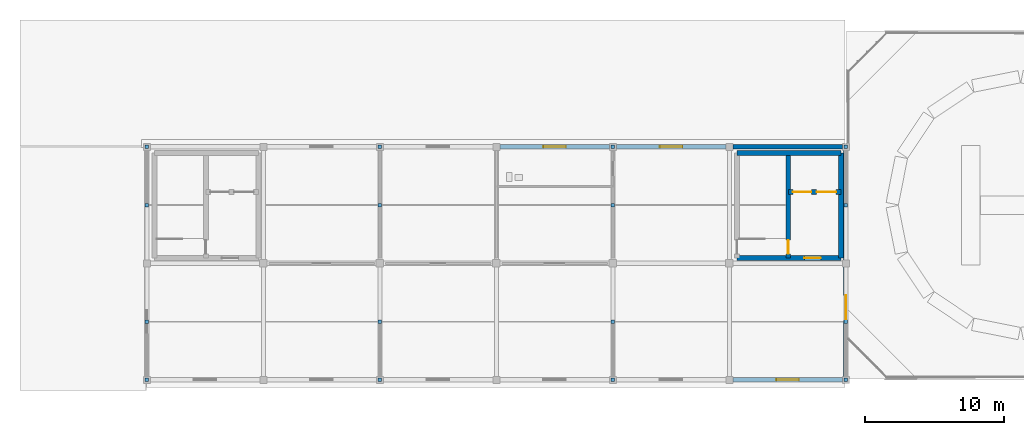
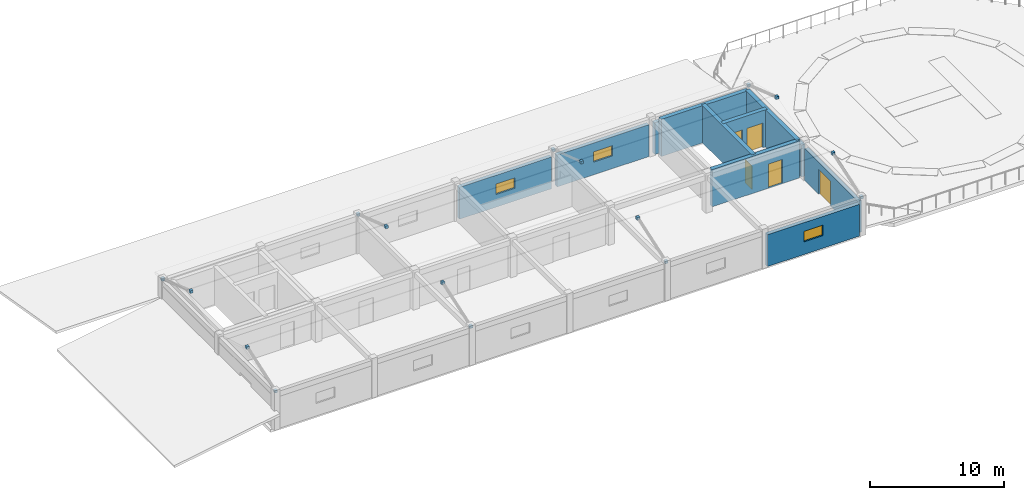
# One storey, part 3 of 5: 16 discrete accessories, 11 walls, 5 doors, 3 windows, 8 openings.
"""IFC4 building model written with IfcOpenShell, lengths in metres."""

from ifc_helpers import new_model, si_unit, direction, frame, frame_2d, origin, origin_2d, place, context, subcontext, project, spatial, rectangle, extrude, material, layer, layer_set, type_object, element, fill, save


model = new_model("IFC4")

# Units and contexts
model_context = context("Model", 3, precision=1e-05, world=origin(), true_north=direction((0.0, 1.0)))
body_context = subcontext(model_context, "Body", "Model", "MODEL_VIEW")
ifc_project = project(units=[si_unit("LENGTHUNIT", "METRE"), si_unit("AREAUNIT", "SQUARE_METRE"), si_unit("VOLUMEUNIT", "CUBIC_METRE"), si_unit("PLANEANGLEUNIT", "RADIAN"), si_unit("MASSUNIT", "GRAM", prefix="KILO")], contexts=[model_context])

# Site, building, storey
site_placement = place(None, origin())
site = spatial("IfcSite", under=ifc_project, at=site_placement, CompositionType="ELEMENT")
building_placement = place(site_placement, origin())
building = spatial("IfcBuilding", under=site, at=building_placement, Name="Trelvath General Hospital", CompositionType="ELEMENT")
storey_placement = place(building_placement, frame((0.0, 0.0, 33.0)))
storey = spatial("IfcBuildingStorey", under=building, at=storey_placement, Name="RF", CompositionType="ELEMENT", Elevation=33.0)

# Wall, opening, door
ifc_material_1 = material(Name="Concrete C40/50", Category="concrete")
ifc_layer_1 = layer(ifc_material_1, 0.35009765625)
ifc_layer_set_1 = layer_set([ifc_layer_1], Name="Concrete C40/50")
wall_type_1 = type_object("IfcWallType", Name="CoreShearWall 350", PredefinedType="SHEAR", material=ifc_layer_set_1)
wall_1_placement = place(storey_placement, frame((84.550048828125, 101.199951171875, 0.0), z_axis=(0.0, 0.0, 1.0), x_axis=(1.0, 0.0, 0.0)))
wall_1 = element("IfcWall", 1, at=wall_1_placement, inside=storey, type_object=wall_type_1, Name="Core Shear Wall C2 S RF", PredefinedType="SHEAR", context=body_context, shape_type="SweptSolid", body=[
    extrude(rectangle(XDim=7.5, YDim=0.35009765625, at=frame_2d((3.75, 0.0))), origin(), (0.0, 0.0, 1.0), 3.3798828125),
])
opening_1_placement = place(wall_1_placement, frame((4.85009765625, 0.0, 0.0)))
opening_1 = element("IfcOpeningElement", 2, at=opening_1_placement, cuts=wall_1, Name="Opening FD-LS28", PredefinedType="OPENING", context=body_context, shape_type="SweptSolid", body=[
    extrude(rectangle(XDim=1.199951171875, YDim=2.199951171875, at=frame_2d((0.60009765625, 1.10009765625))), frame((0.0, 0.18505859375, 0.0), z_axis=(0.0, -1.0, 0.0), x_axis=(1.0, 0.0, 0.0)), (0.0, 0.0, 1.0), 0.3701171875),
])
ifc_material_2 = material(Name="Fire-rated steel door", Category="steel")
door_type_1 = type_object("IfcDoorType", Name="Door FireLobby 1200x2200", OperationType="NOTDEFINED", PredefinedType="DOOR", material=ifc_material_2)
door_1_placement = place(opening_1_placement, origin())
door_1 = element("IfcDoor", 3, at=door_1_placement, inside=storey, type_object=door_type_1, Name="Fire Lobby South Door C2 RF", OperationType="SINGLE_SWING_LEFT", OverallHeight=2.199951171875, OverallWidth=1.199951171875, PredefinedType="DOOR", context=body_context, shape_type="SweptSolid", body=[
    extrude(rectangle(XDim=1.199951171875, YDim=2.199951171875, at=frame_2d((0.60009765625, 1.10009765625))), frame((0.0, 0.02490234375, 0.0), z_axis=(0.0, -1.0, 0.0), x_axis=(1.0, 0.0, 0.0)), (0.0, 0.0, 1.0), 0.050048828125),
])
fill(opening_1, door_1)

# Walls
wall_2_placement = place(storey_placement, frame((84.550048828125, 108.75, 0.0), z_axis=(0.0, 0.0, 1.0), x_axis=(1.0, 0.0, 0.0)))
element("IfcWall", 4, at=wall_2_placement, inside=storey, type_object=wall_type_1, Name="Core Shear Wall C2 N RF", PredefinedType="SHEAR", context=body_context, shape_type="SweptSolid", body=[
    extrude(rectangle(XDim=7.5, YDim=0.35009765625, at=frame_2d((3.75, 0.0))), origin(), (0.0, 0.0, 1.0), 3.3798828125),
])
wall_3_placement = place(storey_placement, frame((92.050048828125, 101.199951171875, 0.0), z_axis=(0.0, 0.0, 1.0), x_axis=(0.0, 1.0, 0.0)))
element("IfcWall", 5, at=wall_3_placement, inside=storey, type_object=wall_type_1, Name="Core Shear Wall C2 E RF", PredefinedType="SHEAR", context=body_context, shape_type="SweptSolid", body=[
    extrude(rectangle(XDim=7.550048828125, YDim=0.35009765625, at=frame_2d((3.77490234375, 0.0))), origin(), (0.0, 0.0, 1.0), 3.3798828125),
])

# Wall, opening, door
wall_4_placement = place(storey_placement, frame((88.25, 101.199951171875, 0.0), z_axis=(0.0, 0.0, 1.0), x_axis=(0.0, 1.0, 0.0)))
wall_4 = element("IfcWall", 6, at=wall_4_placement, inside=storey, type_object=wall_type_1, Name="Core Shear Wall C2 SPINE RF", PredefinedType="SHEAR", context=body_context, shape_type="SweptSolid", body=[
    extrude(rectangle(XDim=7.550048828125, YDim=0.35009765625, at=frame_2d((3.77490234375, 0.0))), origin(), (0.0, 0.0, 1.0), 3.3798828125),
])
opening_2_placement = place(wall_4_placement, frame((0.280029296875, 0.0, 0.0)))
opening_2 = element("IfcOpeningElement", 7, at=opening_2_placement, cuts=wall_4, Name="Opening FD-S28", PredefinedType="OPENING", context=body_context, shape_type="SweptSolid", body=[
    extrude(rectangle(XDim=1.0, YDim=2.14990234375, at=frame_2d((0.5, 1.074951171875))), frame((0.0, 0.18505859375, 0.0), z_axis=(0.0, -1.0, 0.0), x_axis=(1.0, 0.0, 0.0)), (0.0, 0.0, 1.0), 0.3701171875),
])
ifc_material_3 = material(Name="Fire-rated steel door", Category="steel")
door_type_2 = type_object("IfcDoorType", Name="Door FireStair 1100x2150", OperationType="NOTDEFINED", PredefinedType="DOOR", material=ifc_material_3)
door_2_placement = place(opening_2_placement, origin())
door_2 = element("IfcDoor", 8, at=door_2_placement, inside=storey, type_object=door_type_2, Name="Exit Stair Door ST2 RF", OperationType="SINGLE_SWING_LEFT", OverallHeight=2.14990234375, OverallWidth=1.0, PredefinedType="DOOR", context=body_context, shape_type="SweptSolid", body=[
    extrude(rectangle(XDim=1.0, YDim=2.14990234375, at=frame_2d((0.5, 1.074951171875))), frame((0.0, 0.02490234375, 0.0), z_axis=(0.0, -1.0, 0.0), x_axis=(1.0, 0.0, 0.0)), (0.0, 0.0, 1.0), 0.050048828125),
])
fill(opening_2, door_2)

# Wall, openings, doors
wall_5_placement = place(storey_placement, frame((88.25, 105.949951171875, 0.0), z_axis=(0.0, 0.0, 1.0), x_axis=(1.0, 0.0, 0.0)))
wall_5 = element("IfcWall", 9, at=wall_5_placement, inside=storey, type_object=wall_type_1, Name="Core Shear Wall C2 SHAFT RF", PredefinedType="SHEAR", context=body_context, shape_type="SweptSolid", body=[
    extrude(rectangle(XDim=3.800048828125, YDim=0.35009765625, at=frame_2d((1.89990234375, 0.0))), origin(), (0.0, 0.0, 1.0), 3.3798828125),
])
opening_3_placement = place(wall_5_placement, frame((0.320068359375, 0.0, 0.0)))
opening_3 = element("IfcOpeningElement", 10, at=opening_3_placement, cuts=wall_5, Name="Opening LD-FF2-8", PredefinedType="OPENING", context=body_context, shape_type="SweptSolid", body=[
    extrude(rectangle(XDim=1.35009765625, YDim=2.25, at=frame_2d((0.675048828125, 1.125))), frame((0.0, 0.18505859375, 0.0), z_axis=(0.0, -1.0, 0.0), x_axis=(1.0, 0.0, 0.0)), (0.0, 0.0, 1.0), 0.3701171875),
])
opening_4_placement = place(wall_5_placement, frame((2.0400390625, 0.0, 0.0)))
opening_4 = element("IfcOpeningElement", 11, at=opening_4_placement, cuts=wall_5, Name="Opening LD-BD2-8", PredefinedType="OPENING", context=body_context, shape_type="SweptSolid", body=[
    extrude(rectangle(XDim=1.39990234375, YDim=2.25, at=frame_2d((0.699951171875, 1.125))), frame((0.0, 0.18505859375, 0.0), z_axis=(0.0, -1.0, 0.0), x_axis=(1.0, 0.0, 0.0)), (0.0, 0.0, 1.0), 0.3701171875),
])
ifc_material_4 = material(Name="Stainless steel stretcher lift landing door", Category="steel")
door_type_3 = type_object("IfcDoorType", Name="Door LiftBed 1400x2250", OperationType="SLIDING_TO_LEFT", PredefinedType="DOOR", material=ifc_material_4)
door_3_placement = place(opening_4_placement, origin())
door_3 = element("IfcDoor", 12, at=door_3_placement, inside=storey, type_object=door_type_3, Name="Lift Landing Sliding Door LF-BD2 RF", OperationType="SLIDING_TO_LEFT", OverallHeight=2.25, OverallWidth=1.39990234375, PredefinedType="DOOR", context=body_context, shape_type="SweptSolid", body=[
    extrude(rectangle(XDim=1.39990234375, YDim=2.25, at=frame_2d((0.699951171875, 1.125))), frame((0.0, 0.02490234375, 0.0), z_axis=(0.0, -1.0, 0.0), x_axis=(1.0, 0.0, 0.0)), (0.0, 0.0, 1.0), 0.050048828125),
])
fill(opening_4, door_3)
ifc_material_5 = material(Name="Fire-rated stainless lift landing door")
door_type_4 = type_object("IfcDoorType", Name="Door LiftFire 1350x2250", OperationType="SLIDING_TO_LEFT", PredefinedType="DOOR", material=ifc_material_5)
door_4_placement = place(opening_3_placement, origin())
door_4 = element("IfcDoor", 13, at=door_4_placement, inside=storey, type_object=door_type_4, Name="Lift Landing Sliding Door LF-FF2 RF", OperationType="SLIDING_TO_LEFT", OverallHeight=2.25, OverallWidth=1.35009765625, PredefinedType="DOOR", context=body_context, shape_type="SweptSolid", body=[
    extrude(rectangle(XDim=1.35009765625, YDim=2.25, at=frame_2d((0.675048828125, 1.125))), frame((0.0, 0.02490234375, 0.0), z_axis=(0.0, -1.0, 0.0), x_axis=(1.0, 0.0, 0.0)), (0.0, 0.0, 1.0), 0.050048828125),
])
fill(opening_3, door_4)

# Wall, opening, window
ifc_material_6 = material(Name="Concrete C35/45", Category="concrete")
ifc_layer_2 = layer(ifc_material_6, 0.320068359375)
ifc_layer_set_2 = layer_set([ifc_layer_2], Name="Concrete C35/45")
wall_type_2 = type_object("IfcWallType", Name="ExtThermalWall 320", PredefinedType="SOLIDWALL", material=ifc_layer_set_2)
wall_6_placement = place(storey_placement, frame((67.445068359375, 109.199951171875, 0.0), z_axis=(0.0, 0.0, 1.0), x_axis=(1.0, 0.0, 0.0)))
wall_6 = element("IfcWall", 14, at=wall_6_placement, inside=storey, type_object=wall_type_2, Name="Exterior Concrete Wall RF-641", PredefinedType="SOLIDWALL", context=body_context, shape_type="SweptSolid", body=[
    extrude(rectangle(XDim=7.909912109375, YDim=0.320068359375, at=frame_2d((3.955078125, 0.0))), origin(), (0.0, 0.0, 1.0), 2.89990234375),
])
opening_5_placement = place(wall_6_placement, frame((3.14501953125, 0.0, 1.14990234375)))
opening_5 = element("IfcOpeningElement", 15, at=opening_5_placement, cuts=wall_6, Name="Opening WN-R-1076", PredefinedType="OPENING", context=body_context, shape_type="SweptSolid", body=[
    extrude(rectangle(XDim=1.6201171875, YDim=0.949951171875, at=frame_2d((0.81005859375, 0.47509765625))), frame((0.0, 0.169921875, 0.0), z_axis=(0.0, -1.0, 0.0), x_axis=(1.0, 0.0, 0.0)), (0.0, 0.0, 1.0), 0.340087890625),
])
ifc_material_7 = material(Name="Low-E laminated glass", Category="glass")
window_type = type_object("IfcWindowType", Name="Window EmergencyClere 1620x950", PartitioningType="DOUBLE_PANEL_VERTICAL", PredefinedType="WINDOW", material=ifc_material_7)
window_1_placement = place(opening_5_placement, origin())
window_1 = element("IfcWindow", 16, at=window_1_placement, inside=storey, type_object=window_type, Name="Helipad Headhouse Clerestory Window RF-1076", OverallHeight=0.949951171875, OverallWidth=1.6201171875, PartitioningType="SINGLE_PANEL", PredefinedType="WINDOW", context=body_context, shape_type="SweptSolid", body=[
    extrude(rectangle(XDim=1.6201171875, YDim=0.949951171875, at=frame_2d((0.81005859375, 0.47509765625))), frame((0.0, 0.030029296875, 0.0), z_axis=(0.0, -1.0, 0.0), x_axis=(1.0, 0.0, 0.0)), (0.0, 0.0, 1.0), 0.06005859375),
])
fill(opening_5, window_1)

wall_7_placement = place(storey_placement, frame((75.844970703125, 109.199951171875, 0.0), z_axis=(0.0, 0.0, 1.0), x_axis=(1.0, 0.0, 0.0)))
wall_7 = element("IfcWall", 17, at=wall_7_placement, inside=storey, type_object=wall_type_2, Name="Exterior Concrete Wall RF-643", PredefinedType="SOLIDWALL", context=body_context, shape_type="SweptSolid", body=[
    extrude(rectangle(XDim=7.909912109375, YDim=0.320068359375, at=frame_2d((3.955078125, 0.0))), origin(), (0.0, 0.0, 1.0), 2.89990234375),
])
opening_6_placement = place(wall_7_placement, frame((3.14501953125, 0.0, 1.14990234375)))
opening_6 = element("IfcOpeningElement", 18, at=opening_6_placement, cuts=wall_7, Name="Opening WN-R-1078", PredefinedType="OPENING", context=body_context, shape_type="SweptSolid", body=[
    extrude(rectangle(XDim=1.6201171875, YDim=0.949951171875, at=frame_2d((0.81005859375, 0.47509765625))), frame((0.0, 0.169921875, 0.0), z_axis=(0.0, -1.0, 0.0), x_axis=(1.0, 0.0, 0.0)), (0.0, 0.0, 1.0), 0.340087890625),
])
window_2_placement = place(opening_6_placement, origin())
window_2 = element("IfcWindow", 19, at=window_2_placement, inside=storey, type_object=window_type, Name="Helipad Headhouse Clerestory Window RF-1078", OverallHeight=0.949951171875, OverallWidth=1.6201171875, PartitioningType="SINGLE_PANEL", PredefinedType="WINDOW", context=body_context, shape_type="SweptSolid", body=[
    extrude(rectangle(XDim=1.6201171875, YDim=0.949951171875, at=frame_2d((0.81005859375, 0.47509765625))), frame((0.0, 0.030029296875, 0.0), z_axis=(0.0, -1.0, 0.0), x_axis=(1.0, 0.0, 0.0)), (0.0, 0.0, 1.0), 0.06005859375),
])
fill(opening_6, window_2)

wall_8_placement = place(storey_placement, frame((92.155029296875, 92.39990234375, 0.0), z_axis=(0.0, 0.0, 1.0), x_axis=(-1.0, 0.0, 0.0)))
wall_8 = element("IfcWall", 20, at=wall_8_placement, inside=storey, type_object=wall_type_2, Name="Exterior Concrete Wall RF-644", PredefinedType="SOLIDWALL", context=body_context, shape_type="SweptSolid", body=[
    extrude(rectangle(XDim=7.909912109375, YDim=0.320068359375, at=frame_2d((3.955078125, 0.0))), origin(), (0.0, 0.0, 1.0), 2.89990234375),
])
opening_7_placement = place(wall_8_placement, frame((3.14501953125, 0.0, 1.14990234375)))
opening_7 = element("IfcOpeningElement", 21, at=opening_7_placement, cuts=wall_8, Name="Opening WN-R-1079", PredefinedType="OPENING", context=body_context, shape_type="SweptSolid", body=[
    extrude(rectangle(XDim=1.6201171875, YDim=0.949951171875, at=frame_2d((0.81005859375, 0.47509765625))), frame((0.0, 0.169921875, 0.0), z_axis=(0.0, -1.0, 0.0), x_axis=(1.0, 0.0, 0.0)), (0.0, 0.0, 1.0), 0.340087890625),
])
window_3_placement = place(opening_7_placement, origin())
window_3 = element("IfcWindow", 22, at=window_3_placement, inside=storey, type_object=window_type, Name="Helipad Headhouse Clerestory Window RF-1079", OverallHeight=0.949951171875, OverallWidth=1.6201171875, PartitioningType="SINGLE_PANEL", PredefinedType="WINDOW", context=body_context, shape_type="SweptSolid", body=[
    extrude(rectangle(XDim=1.6201171875, YDim=0.949951171875, at=frame_2d((0.81005859375, 0.47509765625))), frame((0.0, 0.030029296875, 0.0), z_axis=(0.0, -1.0, 0.0), x_axis=(1.0, 0.0, 0.0)), (0.0, 0.0, 1.0), 0.06005859375),
])
fill(opening_7, window_3)

# Wall, opening, door
wall_9_placement = place(storey_placement, frame((92.39990234375, 100.554931640625, 0.0), z_axis=(0.0, 0.0, 1.0), x_axis=(0.0, -1.0, 0.0)))
wall_9 = element("IfcWall", 23, at=wall_9_placement, inside=storey, type_object=wall_type_2, Name="Exterior Concrete Wall RF-645", PredefinedType="SOLIDWALL", context=body_context, shape_type="SweptSolid", body=[
    extrude(rectangle(XDim=7.909912109375, YDim=0.320068359375, at=frame_2d((3.955078125, 0.0))), origin(), (0.0, 0.0, 1.0), 2.89990234375),
])
opening_8_placement = place(wall_9_placement, frame((2.054931640625, 0.0, 0.0)))
opening_8 = element("IfcOpeningElement", 24, at=opening_8_placement, cuts=wall_9, Name="Opening HD-RF1", PredefinedType="OPENING", context=body_context, shape_type="SweptSolid", body=[
    extrude(rectangle(XDim=1.800048828125, YDim=2.25, at=frame_2d((0.89990234375, 1.125))), frame((0.0, 0.169921875, 0.0), z_axis=(0.0, -1.0, 0.0), x_axis=(1.0, 0.0, 0.0)), (0.0, 0.0, 1.0), 0.340087890625),
])
ifc_material_8 = material(Name="Weather-sealed helipad vestibule pair")
door_type_5 = type_object("IfcDoorType", Name="Door HelipadTriage 1800x2250", OperationType="DOUBLE_SWING_LEFT", PredefinedType="DOOR", material=ifc_material_8)
door_5_placement = place(opening_8_placement, origin())
door_5 = element("IfcDoor", 25, at=door_5_placement, inside=storey, type_object=door_type_5, Name="Rooftop Helipad Air-Ambulance Stretcher Door", OperationType="DOUBLE_SWING_LEFT", OverallHeight=2.25, OverallWidth=1.800048828125, PredefinedType="DOOR", context=body_context, shape_type="SweptSolid", body=[
    extrude(rectangle(XDim=1.800048828125, YDim=2.25, at=frame_2d((0.89990234375, 1.125))), frame((0.0, 0.02490234375, 0.0), z_axis=(0.0, -1.0, 0.0), x_axis=(1.0, 0.0, 0.0)), (0.0, 0.0, 1.0), 0.050048828125),
])
fill(opening_8, door_5)

# Walls
wall_10_placement = place(storey_placement, frame((84.2451171875, 109.199951171875, 0.0), z_axis=(0.0, 0.0, 1.0), x_axis=(1.0, 0.0, 0.0)))
element("IfcWall", 26, at=wall_10_placement, inside=storey, type_object=wall_type_2, Name="Exterior Concrete Wall RF-646", PredefinedType="SOLIDWALL", context=body_context, shape_type="SweptSolid", body=[
    extrude(rectangle(XDim=7.909912109375, YDim=0.320068359375, at=frame_2d((3.955078125, 0.0))), origin(), (0.0, 0.0, 1.0), 2.89990234375),
])
wall_11_placement = place(storey_placement, frame((92.39990234375, 108.955078125, 0.0), z_axis=(0.0, 0.0, 1.0), x_axis=(0.0, -1.0, 0.0)))
element("IfcWall", 27, at=wall_11_placement, inside=storey, type_object=wall_type_2, Name="Exterior Concrete Wall RF-647", PredefinedType="SOLIDWALL", context=body_context, shape_type="SweptSolid", body=[
    extrude(rectangle(XDim=7.91015625, YDim=0.320068359375, at=frame_2d((3.955078125, 0.0))), origin(), (0.0, 0.0, 1.0), 2.89990234375),
])

# Discrete accessories
ifc_material_9 = material(Name="Steel S355", Category="steel")
discrete_accessory_type = type_object("IfcDiscreteAccessoryType", Name="FacadeBracket S355", PredefinedType="BRACKET", material=ifc_material_9)
for number, where, z_axis, x_axis, name in (
    (28, (42.0, 92.39990234375, 3.27978515625), (0.0, 0.0, 1.0), (1.0, 0.0, 0.0), "Headhouse Shell S Strut Node 47-A"),
    (29, (42.0, 96.60009765625, 4.7099609375), (0.0, 0.0, 1.0), (1.0, 0.0, 0.0), "Headhouse Shell S Strut Node 47-B"),
    (30, (42.0, 109.199951171875, 3.27978515625), (0.0, 0.0, 1.0), (1.0, 0.0, 0.0), "Headhouse Shell N Strut Node 48-A"),
    (31, (42.0, 105.0, 4.7099609375), (0.0, 0.0, 1.0), (1.0, 0.0, 0.0), "Headhouse Shell N Strut Node 48-B"),
    (32, (58.800048828125, 92.39990234375, 3.27978515625), (0.0, 0.0, 1.0), (1.0, 0.0, 0.0), "Headhouse Shell S Strut Node 49-A"),
    (33, (58.800048828125, 96.60009765625, 4.7099609375), (0.0, 0.0, 1.0), (1.0, 0.0, 0.0), "Headhouse Shell S Strut Node 49-B"),
    (34, (58.800048828125, 109.199951171875, 3.27978515625), (0.0, 0.0, 1.0), (1.0, 0.0, 0.0), "Headhouse Shell N Strut Node 50-A"),
    (35, (58.800048828125, 105.0, 4.7099609375), (0.0, 0.0, 1.0), (1.0, 0.0, 0.0), "Headhouse Shell N Strut Node 50-B"),
    (36, (75.60009765625, 92.39990234375, 3.27978515625), (0.0, 0.0, 1.0), (1.0, 0.0, 0.0), "Headhouse Shell S Strut Node 51-A"),
    (37, (75.60009765625, 96.60009765625, 4.7099609375), (0.0, 0.0, 1.0), (1.0, 0.0, 0.0), "Headhouse Shell S Strut Node 51-B"),
    (38, (75.60009765625, 109.199951171875, 3.27978515625), (0.0, 0.0, 1.0), (1.0, 0.0, 0.0), "Headhouse Shell N Strut Node 52-A"),
    (39, (75.60009765625, 105.0, 4.7099609375), (0.0, 0.0, 1.0), (1.0, 0.0, 0.0), "Headhouse Shell N Strut Node 52-B"),
    (40, (92.39990234375, 92.39990234375, 3.27978515625), (0.0, 0.0, 1.0), (1.0, 0.0, 0.0), "Headhouse Shell S Strut Node 53-A"),
    (41, (92.39990234375, 96.60009765625, 4.7099609375), (0.0, 0.0, 1.0), (1.0, 0.0, 0.0), "Headhouse Shell S Strut Node 53-B"),
    (42, (92.39990234375, 109.199951171875, 3.27978515625), (0.0, 0.0, 1.0), (1.0, 0.0, 0.0), "Headhouse Shell N Strut Node 54-A"),
    (43, (92.39990234375, 105.0, 4.7099609375), (0.0, 0.0, 1.0), (1.0, 0.0, 0.0), "Headhouse Shell N Strut Node 54-B"),
):
    element("IfcDiscreteAccessory", number, at=place(storey_placement, frame(where, z_axis=z_axis, x_axis=x_axis)), inside=storey, type_object=discrete_accessory_type, Name=name, PredefinedType="BRACKET", context=body_context, shape_type="SweptSolid", body=[
        extrude(rectangle(XDim=0.239990234375, YDim=0.239990234375, at=origin_2d()), origin(), (0.0, 0.0, 1.0), 0.239990234375),
    ])

save(model, "model.ifc")
